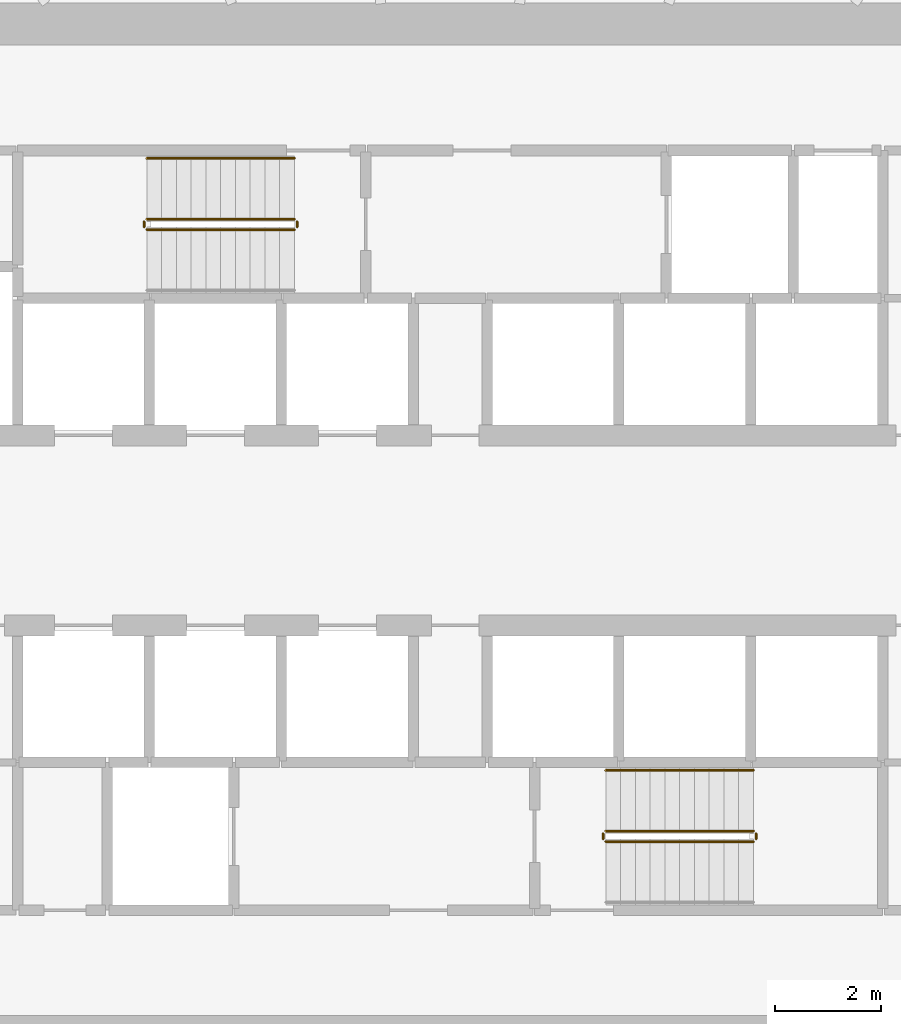
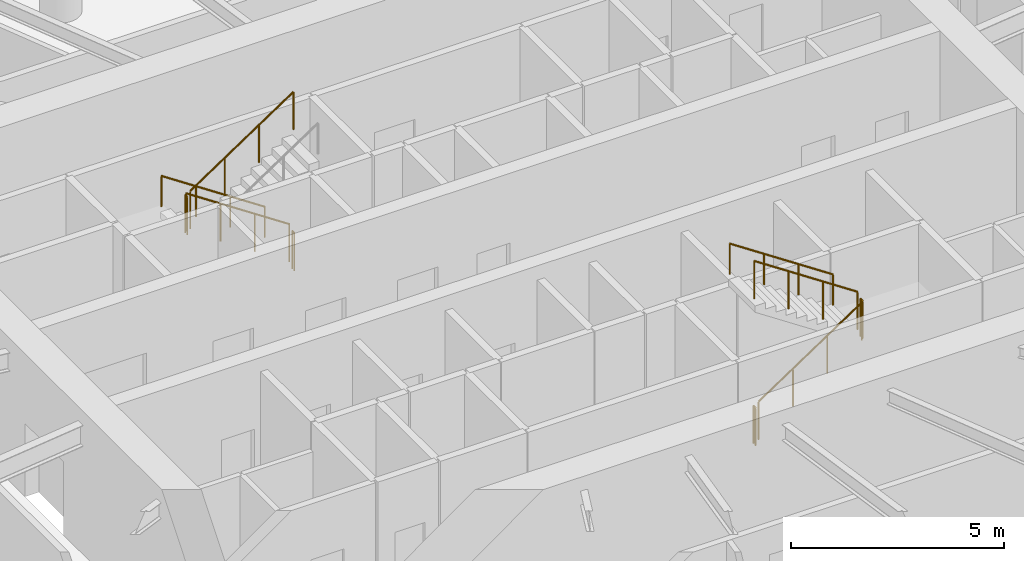
# One storey, part 17 of 18: 10 railings.
"""IFC4 building model written with IfcOpenShell, lengths in metres."""

from ifc_helpers import new_model, si_unit, direction, frame, origin, origin_2d, place, context, subcontext, project, spatial, circle, extrude, material, type_object, element, save


model = new_model("IFC4")

# Units and contexts
model_context = context("Model", 3, precision=1e-05, world=origin(), true_north=direction((0.0, 1.0)))
body_context = subcontext(model_context, "Body", "Model", "MODEL_VIEW")
ifc_project = project(units=[si_unit("LENGTHUNIT", "METRE"), si_unit("AREAUNIT", "SQUARE_METRE"), si_unit("VOLUMEUNIT", "CUBIC_METRE"), si_unit("PLANEANGLEUNIT", "RADIAN"), si_unit("MASSUNIT", "GRAM", prefix="KILO")], contexts=[model_context])

# Site, building, storey
site_placement = place(None, origin())
site = spatial("IfcSite", under=ifc_project, at=site_placement, CompositionType="ELEMENT")
building_placement = place(site_placement, origin())
building = spatial("IfcBuilding", under=site, at=building_placement, Name="Spindrift Exchange Tower", CompositionType="ELEMENT")
storey_placement = place(building_placement, frame((0.0, 0.0, 116.699951171875)))
storey = spatial("IfcBuildingStorey", under=building, at=storey_placement, Name="L27", CompositionType="ELEMENT", Elevation=116.699951171875)

# Railings
ifc_material_1 = material(Name="Steel balustrade", Category="steel")
railing_type_1 = type_object("IfcRailingType", Name="RL-STAIR-GUARD", PredefinedType="GUARDRAIL", material=ifc_material_1)
railing_1_placement = place(storey_placement, frame((49.050048828125, 53.89990234375, 0.1865234375)))
element("IfcRailing", 1, at=railing_1_placement, inside=storey, type_object=railing_type_1, Name="L27 ST1 stair guard 1", PredefinedType="GUARDRAIL", context=body_context, shape_type="SweptSolid", body=[
    extrude(circle(Radius=0.02392578125, at=origin_2d()), frame((0.0, 0.0, 1.076171875), z_axis=(-0.832485552168, 0.0, 0.554046753832), x_axis=(0.0, -1.0, 0.0)), (0.0, 0.0, 1.0), 3.363525390625),
    extrude(circle(Radius=0.02099609375, at=origin_2d()), origin(), (0.0, 0.0, 1.0), 1.052001953125),
    extrude(circle(Radius=0.02099609375, at=origin_2d()), frame((-0.933349609375, 0.0, 0.62109375)), (0.0, 0.0, 1.0), 1.052001953125),
    extrude(circle(Radius=0.02099609375, at=origin_2d()), frame((-1.86669921875, 0.0, 1.242431640625)), (0.0, 0.0, 1.0), 1.052001953125),
    extrude(circle(Radius=0.02099609375, at=origin_2d()), frame((-2.800048828125, 0.0, 1.863525390625)), (0.0, 0.0, 1.0), 1.052001953125),
])
railing_2_placement = place(storey_placement, frame((46.199951171875, 53.85009765625, 2.050048828125)))
element("IfcRailing", 2, at=railing_2_placement, inside=storey, type_object=railing_type_1, Name="L27 ST1 stair guard 2", PredefinedType="GUARDRAIL", context=body_context, shape_type="SweptSolid", body=[
    extrude(circle(Radius=0.02392578125, at=origin_2d()), frame((0.0, 0.0, 1.076171875), z_axis=(0.0, -1.0, 0.0), x_axis=(1.0, 0.0, 0.0)), (0.0, 0.0, 1.0), 0.10009765625),
    extrude(circle(Radius=0.02099609375, at=origin_2d()), origin(), (0.0, 0.0, 1.0), 1.052001953125),
    extrude(circle(Radius=0.02099609375, at=origin_2d()), frame((0.0, -0.10009765625, 0.0)), (0.0, 0.0, 1.0), 1.052001953125),
])
railing_3_placement = place(storey_placement, frame((46.25, 53.699951171875, 2.236328125)))
element("IfcRailing", 3, at=railing_3_placement, inside=storey, type_object=railing_type_1, Name="L27 ST1 stair guard 3", PredefinedType="GUARDRAIL", context=body_context, shape_type="SweptSolid", body=[
    extrude(circle(Radius=0.02392578125, at=origin_2d()), frame((0.0, 0.0, 1.076171875), z_axis=(0.832452072856, 0.0, 0.554097055034), x_axis=(0.0, 1.0, 0.0)), (0.0, 0.0, 1.0), 3.363525390625),
    extrude(circle(Radius=0.02099609375, at=origin_2d()), origin(), (0.0, 0.0, 1.0), 1.052001953125),
    extrude(circle(Radius=0.02099609375, at=origin_2d()), frame((0.933349609375, 0.0, 0.621337890625)), (0.0, 0.0, 1.0), 1.052001953125),
    extrude(circle(Radius=0.02099609375, at=origin_2d()), frame((1.86669921875, 0.0, 1.242431640625)), (0.0, 0.0, 1.0), 1.052001953125),
    extrude(circle(Radius=0.02099609375, at=origin_2d()), frame((2.800048828125, 0.0, 1.86376953125)), (0.0, 0.0, 1.0), 1.052001953125),
])
railing_4_placement = place(storey_placement, frame((49.10009765625, 53.85009765625, 0.0)))
element("IfcRailing", 4, at=railing_4_placement, inside=storey, type_object=railing_type_1, Name="L27 ST1 stair guard 4", PredefinedType="GUARDRAIL", context=body_context, shape_type="SweptSolid", body=[
    extrude(circle(Radius=0.02392578125, at=origin_2d()), frame((0.0, 0.0, 1.076171875), z_axis=(0.0, -1.0, 0.0), x_axis=(1.0, 0.0, 0.0)), (0.0, 0.0, 1.0), 0.10009765625),
    extrude(circle(Radius=0.02099609375, at=origin_2d()), origin(), (0.0, 0.0, 1.0), 1.052001953125),
    extrude(circle(Radius=0.02099609375, at=origin_2d()), frame((0.0, -0.10009765625, 0.0)), (0.0, 0.0, 1.0), 1.052001953125),
])
railing_5_placement = place(storey_placement, frame((54.949951171875, 42.10009765625, 0.1865234375)))
element("IfcRailing", 5, at=railing_5_placement, inside=storey, type_object=railing_type_1, Name="L27 ST2 stair guard 1", PredefinedType="GUARDRAIL", context=body_context, shape_type="SweptSolid", body=[
    extrude(circle(Radius=0.02392578125, at=origin_2d()), frame((0.0, 0.0, 1.076171875), z_axis=(0.832485552168, 0.0, 0.554046753832), x_axis=(0.0, 1.0, 0.0)), (0.0, 0.0, 1.0), 3.363525390625),
    extrude(circle(Radius=0.02099609375, at=origin_2d()), origin(), (0.0, 0.0, 1.0), 1.052001953125),
    extrude(circle(Radius=0.02099609375, at=origin_2d()), frame((0.933349609375, 0.0, 0.62109375)), (0.0, 0.0, 1.0), 1.052001953125),
    extrude(circle(Radius=0.02099609375, at=origin_2d()), frame((1.86669921875, 0.0, 1.242431640625)), (0.0, 0.0, 1.0), 1.052001953125),
    extrude(circle(Radius=0.02099609375, at=origin_2d()), frame((2.800048828125, 0.0, 1.863525390625)), (0.0, 0.0, 1.0), 1.052001953125),
])
railing_6_placement = place(storey_placement, frame((57.800048828125, 42.14990234375, 2.050048828125)))
element("IfcRailing", 6, at=railing_6_placement, inside=storey, type_object=railing_type_1, Name="L27 ST2 stair guard 2", PredefinedType="GUARDRAIL", context=body_context, shape_type="SweptSolid", body=[
    extrude(circle(Radius=0.02392578125, at=origin_2d()), frame((0.0, 0.0, 1.076171875), z_axis=(0.0, 1.0, 0.0), x_axis=(-1.0, 0.0, 0.0)), (0.0, 0.0, 1.0), 0.10009765625),
    extrude(circle(Radius=0.02099609375, at=origin_2d()), origin(), (0.0, 0.0, 1.0), 1.052001953125),
    extrude(circle(Radius=0.02099609375, at=origin_2d()), frame((0.0, 0.10009765625, 0.0)), (0.0, 0.0, 1.0), 1.052001953125),
])
railing_7_placement = place(storey_placement, frame((57.75, 42.300048828125, 2.236328125)))
element("IfcRailing", 7, at=railing_7_placement, inside=storey, type_object=railing_type_1, Name="L27 ST2 stair guard 3", PredefinedType="GUARDRAIL", context=body_context, shape_type="SweptSolid", body=[
    extrude(circle(Radius=0.02392578125, at=origin_2d()), frame((0.0, 0.0, 1.076171875), z_axis=(-0.832452072856, 0.0, 0.554097055034), x_axis=(0.0, -1.0, 0.0)), (0.0, 0.0, 1.0), 3.363525390625),
    extrude(circle(Radius=0.02099609375, at=origin_2d()), origin(), (0.0, 0.0, 1.0), 1.052001953125),
    extrude(circle(Radius=0.02099609375, at=origin_2d()), frame((-0.933349609375, 0.0, 0.621337890625)), (0.0, 0.0, 1.0), 1.052001953125),
    extrude(circle(Radius=0.02099609375, at=origin_2d()), frame((-1.86669921875, 0.0, 1.242431640625)), (0.0, 0.0, 1.0), 1.052001953125),
    extrude(circle(Radius=0.02099609375, at=origin_2d()), frame((-2.800048828125, 0.0, 1.86376953125)), (0.0, 0.0, 1.0), 1.052001953125),
])
railing_8_placement = place(storey_placement, frame((54.89990234375, 42.14990234375, 0.0)))
element("IfcRailing", 8, at=railing_8_placement, inside=storey, type_object=railing_type_1, Name="L27 ST2 stair guard 4", PredefinedType="GUARDRAIL", context=body_context, shape_type="SweptSolid", body=[
    extrude(circle(Radius=0.02392578125, at=origin_2d()), frame((0.0, 0.0, 1.076171875), z_axis=(0.0, 1.0, 0.0), x_axis=(-1.0, 0.0, 0.0)), (0.0, 0.0, 1.0), 0.10009765625),
    extrude(circle(Radius=0.02099609375, at=origin_2d()), origin(), (0.0, 0.0, 1.0), 1.052001953125),
    extrude(circle(Radius=0.02099609375, at=origin_2d()), frame((0.0, 0.10009765625, 0.0)), (0.0, 0.0, 1.0), 1.052001953125),
])
ifc_material_2 = material(Name="Steel tubular handrail", Category="steel")
railing_type_2 = type_object("IfcRailingType", Name="RL-STAIR-HAND", PredefinedType="HANDRAIL", material=ifc_material_2)
railing_9_placement = place(storey_placement, frame((49.050048828125, 55.050048828125, 0.1865234375)))
element("IfcRailing", 9, at=railing_9_placement, inside=storey, type_object=railing_type_2, Name="L27 ST1 stair handrail 1", PredefinedType="HANDRAIL", context=body_context, shape_type="SweptSolid", body=[
    extrude(circle(Radius=0.02392578125, at=origin_2d()), frame((0.0, 0.0, 0.8759765625), z_axis=(-0.832485552168, 0.0, 0.554046753832), x_axis=(0.0, -1.0, 0.0)), (0.0, 0.0, 1.0), 3.363525390625),
    extrude(circle(Radius=0.02099609375, at=origin_2d()), origin(), (0.0, 0.0, 1.0), 0.851806640625),
    extrude(circle(Radius=0.02099609375, at=origin_2d()), frame((-0.933349609375, 0.0, 0.62109375)), (0.0, 0.0, 1.0), 0.851806640625),
    extrude(circle(Radius=0.02099609375, at=origin_2d()), frame((-1.86669921875, 0.0, 1.242431640625)), (0.0, 0.0, 1.0), 0.851806640625),
    extrude(circle(Radius=0.02099609375, at=origin_2d()), frame((-2.800048828125, 0.0, 1.863525390625)), (0.0, 0.0, 1.0), 0.851806640625),
])
railing_10_placement = place(storey_placement, frame((57.75, 43.449951171875, 2.236328125)))
element("IfcRailing", 10, at=railing_10_placement, inside=storey, type_object=railing_type_2, Name="L27 ST2 stair handrail 2", PredefinedType="HANDRAIL", context=body_context, shape_type="SweptSolid", body=[
    extrude(circle(Radius=0.02392578125, at=origin_2d()), frame((0.0, 0.0, 0.8759765625), z_axis=(-0.832452072856, 0.0, 0.554097055034), x_axis=(0.0, -1.0, 0.0)), (0.0, 0.0, 1.0), 3.363525390625),
    extrude(circle(Radius=0.02099609375, at=origin_2d()), origin(), (0.0, 0.0, 1.0), 0.851806640625),
    extrude(circle(Radius=0.02099609375, at=origin_2d()), frame((-0.933349609375, 0.0, 0.621337890625)), (0.0, 0.0, 1.0), 0.851806640625),
    extrude(circle(Radius=0.02099609375, at=origin_2d()), frame((-1.86669921875, 0.0, 1.242431640625)), (0.0, 0.0, 1.0), 0.851806640625),
    extrude(circle(Radius=0.02099609375, at=origin_2d()), frame((-2.800048828125, 0.0, 1.86376953125)), (0.0, 0.0, 1.0), 0.851806640625),
])

save(model, "model.ifc")
